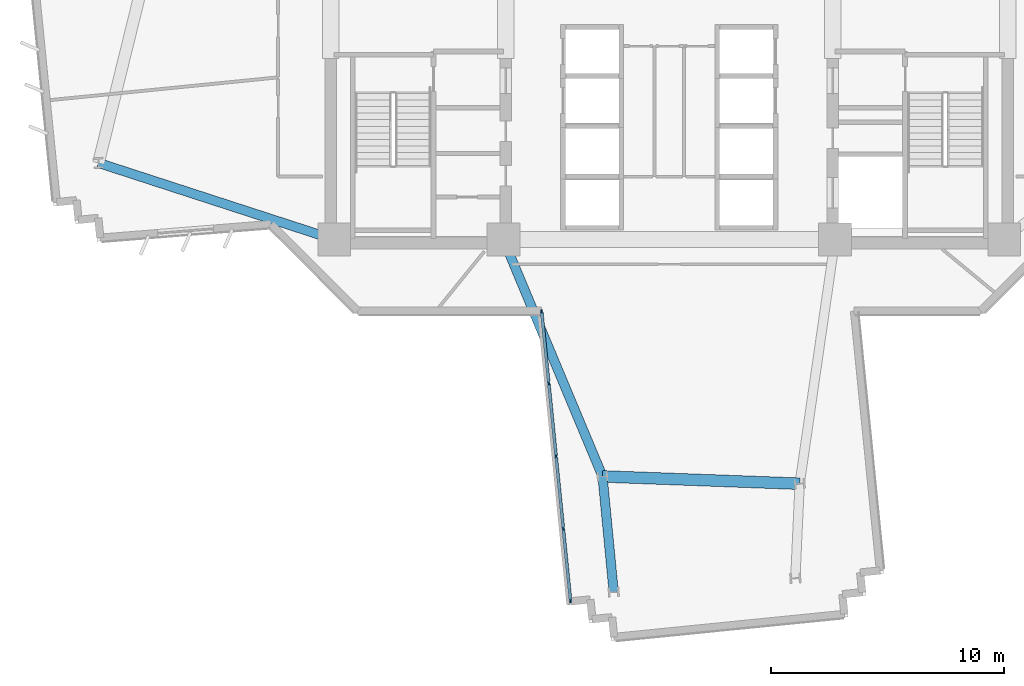
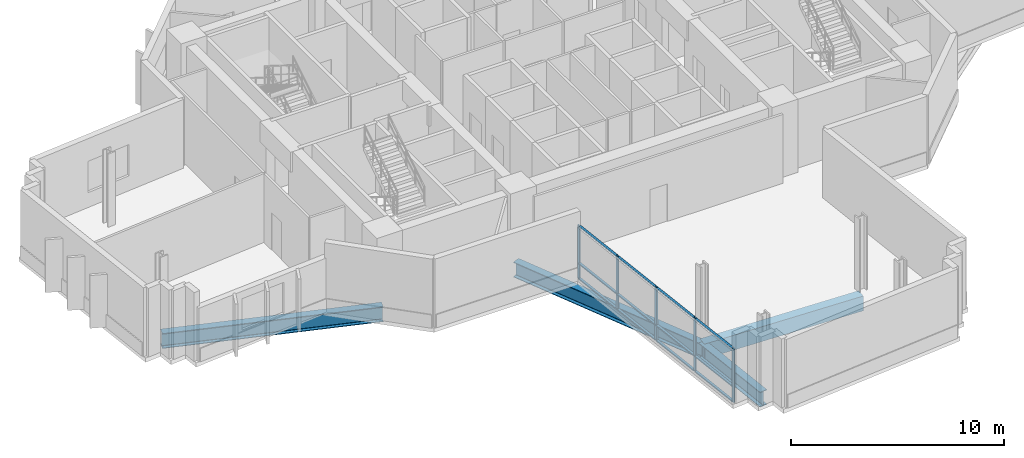
# One storey, part 2 of 14: 17 members, 4 beams, 1 element without a shape of its own.
"""IFC4 building model written with IfcOpenShell, lengths in metres."""

from ifc_helpers import new_model, si_unit, direction, frame, origin, origin_2d, place, context, subcontext, project, spatial, rectangle, i_section, extrude, source, transform, mapped, material, layer, layer_set, material_profile, profile_set, type_object, element, aggregate, save


model = new_model("IFC4")

# Units and contexts
model_context = context("Model", 3, precision=1e-05, world=origin(), true_north=direction((0.0, 1.0)))
body_context = subcontext(model_context, "Body", "Model", "MODEL_VIEW")
ifc_project = project(units=[si_unit("LENGTHUNIT", "METRE"), si_unit("AREAUNIT", "SQUARE_METRE"), si_unit("VOLUMEUNIT", "CUBIC_METRE"), si_unit("PLANEANGLEUNIT", "RADIAN"), si_unit("MASSUNIT", "GRAM", prefix="KILO")], contexts=[model_context])

# Site, building, storey
site_placement = place(None, origin())
site = spatial("IfcSite", under=ifc_project, at=site_placement, CompositionType="ELEMENT")
building_placement = place(site_placement, origin())
building = spatial("IfcBuilding", under=site, at=building_placement, Name="Zahravan Cultural Tower", CompositionType="ELEMENT")
storey_placement = place(building_placement, frame((0.0, 0.0, 96.300048828125)))
storey = spatial("IfcBuildingStorey", under=building, at=storey_placement, Name="L21", CompositionType="ELEMENT", Elevation=96.300048828125)

# Beams
ifc_material_1 = material(Name="Concrete C50/60", Category="concrete")
ifc_material_profile_1 = material_profile(ifc_material_1, rectangle(XDim=0.5, YDim=0.85009765625, at=origin_2d()), Name="RC500X850")
ifc_profile_set_1 = profile_set([ifc_material_profile_1], Name="Concrete C50/60")
beam_type_1 = type_object("IfcBeamType", Name="BM-SP-RC500X850", PredefinedType="SPANDREL", material=ifc_profile_set_1)
shared_shape_1 = source(origin(), body_context, "Body", "SweptSolid", [
    extrude(rectangle(XDim=0.5, YDim=0.85009765625, at=origin_2d()), origin(), (0.0, 0.0, 1.0), 8.4482421875),
])
beam_1_placement = place(storey_placement, frame((33.142578125, 7.653564453125, -0.675048828125), z_axis=(0.999318826256, -0.036903705643, 0.0), x_axis=(0.036903705643, 0.999318826256, 0.0)))
element("IfcBeam", 1, at=beam_1_placement, inside=storey, type_object=beam_type_1, Name="L21 Beam SP-L21-19", PredefinedType="SPANDREL", context=body_context, shape_type="MappedRepresentation", body=[
    mapped(shared_shape_1, transform((0.0, 0.0, 0.0), x_axis=(1.0, 0.0, 0.0), y_axis=(0.0, 1.0, 0.0), z_axis=(0.0, 0.0, 1.0), scale=1.0)),
])
ifc_material_2 = material(Name="Steel ASTM A992 Grade 50", Category="steel")
ifc_material_profile_2 = material_profile(ifc_material_2, i_section(OverallWidth=0.39990234375, OverallDepth=0.862060546875, WebThickness=0.019775390625, FlangeThickness=0.032470703125, FilletRadius=0.02001953125, at=origin_2d()), Name="W33X221")
ifc_profile_set_2 = profile_set([ifc_material_profile_2], Name="Steel ASTM A992 Grade 50")
beam_type_2 = type_object("IfcBeamType", Name="BM-G-W33X221", PredefinedType="BEAM", material=ifc_profile_set_2)
shared_shape_2 = source(origin(), body_context, "Body", "SweptSolid", [
    extrude(i_section(OverallWidth=0.39990234375, OverallDepth=0.862060546875, WebThickness=0.019775390625, FlangeThickness=0.032470703125, FilletRadius=0.02001953125, at=origin_2d()), origin(), (0.0, 0.0, 1.0), 10.615966796875),
])
beam_2_placement = place(storey_placement, frame((21.64990234375, 17.800048828125, -0.68115234375), z_axis=(-0.951063640083, 0.30899506875, 0.0), x_axis=(-0.30899506875, -0.951063640083, 0.0)))
element("IfcBeam", 2, at=beam_2_placement, inside=storey, type_object=beam_type_2, Name="L21 Beam BG-L21-07", PredefinedType="BEAM", context=body_context, shape_type="MappedRepresentation", body=[
    mapped(shared_shape_2, transform((0.0, 0.0, 0.0), x_axis=(1.0, 0.0, 0.0), y_axis=(0.0, 1.0, 0.0), z_axis=(0.0, 0.0, 1.0), scale=1.0)),
])
shared_shape_3 = source(origin(), body_context, "Body", "SweptSolid", [
    extrude(i_section(OverallWidth=0.39990234375, OverallDepth=0.862060546875, WebThickness=0.019775390625, FlangeThickness=0.032470703125, FilletRadius=0.02001953125, at=origin_2d()), origin(), (0.0, 0.0, 1.0), 10.997802734375),
])
beam_3_placement = place(storey_placement, frame((28.89990234375, 17.800048828125, -0.68115234375), z_axis=(0.385775211449, -0.922592806297, 0.0), x_axis=(0.922592806297, 0.385775211449, 0.0)))
element("IfcBeam", 3, at=beam_3_placement, inside=storey, type_object=beam_type_2, Name="L21 Beam BG-L21-08", PredefinedType="BEAM", context=body_context, shape_type="MappedRepresentation", body=[
    mapped(shared_shape_3, transform((0.0, 0.0, 0.0), x_axis=(1.0, 0.0, 0.0), y_axis=(0.0, 1.0, 0.0), z_axis=(0.0, 0.0, 1.0), scale=1.0)),
])
shared_shape_4 = source(origin(), body_context, "Body", "SweptSolid", [
    extrude(i_section(OverallWidth=0.39990234375, OverallDepth=0.862060546875, WebThickness=0.019775390625, FlangeThickness=0.032470703125, FilletRadius=0.02001953125, at=origin_2d()), origin(), (0.0, 0.0, 1.0), 4.973876953125),
])
beam_4_placement = place(storey_placement, frame((33.142578125, 7.653564453125, -0.68115234375), z_axis=(0.096154779131, -0.995366394073, 0.0), x_axis=(0.995366394073, 0.096154779131, 0.0)))
element("IfcBeam", 4, at=beam_4_placement, inside=storey, type_object=beam_type_2, Name="L21 Beam BG-L21-17", PredefinedType="BEAM", context=body_context, shape_type="MappedRepresentation", body=[
    mapped(shared_shape_4, transform((0.0, 0.0, 0.0), x_axis=(1.0, 0.0, 0.0), y_axis=(0.0, 1.0, 0.0), z_axis=(0.0, 0.0, 1.0), scale=1.0)),
])

# Curtain wall, members
ifc_material_3 = material(Name="Anodised bronze-aluminium mullion", Category="aluminium")
ifc_layer = layer(ifc_material_3, 0.1650390625)
ifc_layer_set = layer_set([ifc_layer], Name="Anodised bronze-aluminium mullion")
curtain_wall_type = type_object("IfcCurtainWallType", Name="CW-SYS-4", PredefinedType="USERDEFINED", material=ifc_layer_set)
curtain_wall_placement = place(storey_placement, origin())
curtain_wall = element("IfcCurtainWall", 5, at=curtain_wall_placement, inside=storey, type_object=curtain_wall_type, Name="L21 Recessed Curtain Wall CW-4.2", ObjectType="RECESSED GLAZING", PredefinedType="USERDEFINED")
ifc_material_profile_3 = material_profile(ifc_material_3, rectangle(XDim=0.06494140625, YDim=0.1650390625, at=origin_2d()), Name="AL-M65X165")
ifc_profile_set_3 = profile_set([ifc_material_profile_3], Name="Anodised bronze-aluminium mullion")
member_type_1 = type_object("IfcMemberType", Name="CWM-CW-4", PredefinedType="MULLION", material=ifc_profile_set_3)
shared_shape_5 = source(origin(), body_context, "Body", "SweptSolid", [
    extrude(rectangle(XDim=0.06494140625, YDim=0.1650390625, at=origin_2d()), origin(), (0.0, 0.0, 1.0), 3.070068359375),
])
member_1_placement = place(storey_placement, frame((31.769287109375, 2.330322265625, 0.0), z_axis=(0.0, 0.0, 1.0), x_axis=(-0.99505538579, -0.099321594883, 0.0)))
member_1 = element("IfcMember", 6, at=member_1_placement, type_object=member_type_1, Name="CW-4 mullion 1", PredefinedType="MULLION", context=body_context, shape_type="MappedRepresentation", body=[
    mapped(shared_shape_5, transform((0.0, 0.0, 0.0), x_axis=(1.0, 0.0, 0.0), y_axis=(0.0, 1.0, 0.0), z_axis=(0.0, 0.0, 1.0), scale=1.0)),
])
member_2_placement = place(storey_placement, frame((31.4619140625, 5.408447265625, 0.0), z_axis=(0.0, 0.0, 1.0), x_axis=(-0.99505538579, -0.099321594883, 0.0)))
member_2 = element("IfcMember", 7, at=member_2_placement, type_object=member_type_1, Name="CW-4 mullion 2", PredefinedType="MULLION", context=body_context, shape_type="MappedRepresentation", body=[
    mapped(shared_shape_5, transform((0.0, 0.0, 0.0), x_axis=(1.0, 0.0, 0.0), y_axis=(0.0, 1.0, 0.0), z_axis=(0.0, 0.0, 1.0), scale=1.0)),
])
member_3_placement = place(storey_placement, frame((31.151611328125, 8.51904296875, 0.0), z_axis=(0.0, 0.0, 1.0), x_axis=(-0.99505538579, -0.099321594883, 0.0)))
member_3 = element("IfcMember", 8, at=member_3_placement, type_object=member_type_1, Name="CW-4 mullion 3", PredefinedType="MULLION", context=body_context, shape_type="MappedRepresentation", body=[
    mapped(shared_shape_5, transform((0.0, 0.0, 0.0), x_axis=(1.0, 0.0, 0.0), y_axis=(0.0, 1.0, 0.0), z_axis=(0.0, 0.0, 1.0), scale=1.0)),
])
member_4_placement = place(storey_placement, frame((30.841064453125, 11.62939453125, 0.0), z_axis=(0.0, 0.0, 1.0), x_axis=(-0.99505538579, -0.099321594883, 0.0)))
member_4 = element("IfcMember", 9, at=member_4_placement, type_object=member_type_1, Name="CW-4 mullion 4", PredefinedType="MULLION", context=body_context, shape_type="MappedRepresentation", body=[
    mapped(shared_shape_5, transform((0.0, 0.0, 0.0), x_axis=(1.0, 0.0, 0.0), y_axis=(0.0, 1.0, 0.0), z_axis=(0.0, 0.0, 1.0), scale=1.0)),
])
member_5_placement = place(storey_placement, frame((30.533935546875, 14.707763671875, 0.0), z_axis=(0.0, 0.0, 1.0), x_axis=(-0.99505538579, -0.099321594883, 0.0)))
member_5 = element("IfcMember", 10, at=member_5_placement, type_object=member_type_1, Name="CW-4 mullion 5", PredefinedType="MULLION", context=body_context, shape_type="MappedRepresentation", body=[
    mapped(shared_shape_5, transform((0.0, 0.0, 0.0), x_axis=(1.0, 0.0, 0.0), y_axis=(0.0, 1.0, 0.0), z_axis=(0.0, 0.0, 1.0), scale=1.0)),
])
ifc_material_profile_4 = material_profile(ifc_material_3, rectangle(XDim=0.1298828125, YDim=0.06494140625, at=origin_2d()), Name="AL-T65X130")
ifc_profile_set_4 = profile_set([ifc_material_profile_4], Name="Anodised bronze-aluminium mullion")
member_type_2 = type_object("IfcMemberType", Name="CWT-CW-4", PredefinedType="USERDEFINED", material=ifc_profile_set_4)
shared_shape_6 = source(origin(), body_context, "Body", "SweptSolid", [
    extrude(rectangle(XDim=0.1298828125, YDim=0.06494140625, at=origin_2d()), origin(), (0.0, 0.0, 1.0), 3.0283203125),
])
member_6_placement = place(storey_placement, frame((31.76611328125, 2.36279296875, 0.032470703125), z_axis=(-0.099320134078, 0.995055531599, 0.0), x_axis=(-0.995055531599, -0.099320134078, 0.0)))
member_6 = element("IfcMember", 11, at=member_6_placement, type_object=member_type_2, Name="CW-4 transom 1.1", ObjectType="TRANSOM", PredefinedType="USERDEFINED", context=body_context, shape_type="MappedRepresentation", body=[
    mapped(shared_shape_6, transform((0.0, 0.0, 0.0), x_axis=(1.0, 0.0, 0.0), y_axis=(0.0, 1.0, 0.0), z_axis=(0.0, 0.0, 1.0), scale=1.0)),
])
member_7_placement = place(storey_placement, frame((31.76611328125, 2.36279296875, 0.89990234375), z_axis=(-0.099320134078, 0.995055531599, 0.0), x_axis=(-0.995055531599, -0.099320134078, 0.0)))
member_7 = element("IfcMember", 12, at=member_7_placement, type_object=member_type_2, Name="CW-4 transom 1.2", ObjectType="TRANSOM", PredefinedType="USERDEFINED", context=body_context, shape_type="MappedRepresentation", body=[
    mapped(shared_shape_6, transform((0.0, 0.0, 0.0), x_axis=(1.0, 0.0, 0.0), y_axis=(0.0, 1.0, 0.0), z_axis=(0.0, 0.0, 1.0), scale=1.0)),
])
member_8_placement = place(storey_placement, frame((31.76611328125, 2.36279296875, 3.037353515625), z_axis=(-0.099320134078, 0.995055531599, 0.0), x_axis=(-0.995055531599, -0.099320134078, 0.0)))
member_8 = element("IfcMember", 13, at=member_8_placement, type_object=member_type_2, Name="CW-4 transom 1.3", ObjectType="TRANSOM", PredefinedType="USERDEFINED", context=body_context, shape_type="MappedRepresentation", body=[
    mapped(shared_shape_6, transform((0.0, 0.0, 0.0), x_axis=(1.0, 0.0, 0.0), y_axis=(0.0, 1.0, 0.0), z_axis=(0.0, 0.0, 1.0), scale=1.0)),
])
member_9_placement = place(storey_placement, frame((30.837890625, 11.661865234375, 0.032470703125), z_axis=(-0.099320134078, 0.995055531599, 0.0), x_axis=(-0.995055531599, -0.099320134078, 0.0)))
member_9 = element("IfcMember", 14, at=member_9_placement, type_object=member_type_2, Name="CW-4 transom 4.1", ObjectType="TRANSOM", PredefinedType="USERDEFINED", context=body_context, shape_type="MappedRepresentation", body=[
    mapped(shared_shape_6, transform((0.0, 0.0, 0.0), x_axis=(1.0, 0.0, 0.0), y_axis=(0.0, 1.0, 0.0), z_axis=(0.0, 0.0, 1.0), scale=1.0)),
])
member_10_placement = place(storey_placement, frame((30.837890625, 11.661865234375, 0.89990234375), z_axis=(-0.099320134078, 0.995055531599, 0.0), x_axis=(-0.995055531599, -0.099320134078, 0.0)))
member_10 = element("IfcMember", 15, at=member_10_placement, type_object=member_type_2, Name="CW-4 transom 4.2", ObjectType="TRANSOM", PredefinedType="USERDEFINED", context=body_context, shape_type="MappedRepresentation", body=[
    mapped(shared_shape_6, transform((0.0, 0.0, 0.0), x_axis=(1.0, 0.0, 0.0), y_axis=(0.0, 1.0, 0.0), z_axis=(0.0, 0.0, 1.0), scale=1.0)),
])
member_11_placement = place(storey_placement, frame((30.837890625, 11.661865234375, 3.037353515625), z_axis=(-0.099320134078, 0.995055531599, 0.0), x_axis=(-0.995055531599, -0.099320134078, 0.0)))
member_11 = element("IfcMember", 16, at=member_11_placement, type_object=member_type_2, Name="CW-4 transom 4.3", ObjectType="TRANSOM", PredefinedType="USERDEFINED", context=body_context, shape_type="MappedRepresentation", body=[
    mapped(shared_shape_6, transform((0.0, 0.0, 0.0), x_axis=(1.0, 0.0, 0.0), y_axis=(0.0, 1.0, 0.0), z_axis=(0.0, 0.0, 1.0), scale=1.0)),
])
shared_shape_7 = source(origin(), body_context, "Body", "SweptSolid", [
    extrude(rectangle(XDim=0.1298828125, YDim=0.06494140625, at=origin_2d()), origin(), (0.0, 0.0, 1.0), 3.060791015625),
])
member_12_placement = place(storey_placement, frame((31.458740234375, 5.44091796875, 0.032470703125), z_axis=(-0.099306281217, 0.995056914207, 0.0), x_axis=(-0.995056914207, -0.099306281217, 0.0)))
member_12 = element("IfcMember", 17, at=member_12_placement, type_object=member_type_2, Name="CW-4 transom 2.1", ObjectType="TRANSOM", PredefinedType="USERDEFINED", context=body_context, shape_type="MappedRepresentation", body=[
    mapped(shared_shape_7, transform((0.0, 0.0, 0.0), x_axis=(1.0, 0.0, 0.0), y_axis=(0.0, 1.0, 0.0), z_axis=(0.0, 0.0, 1.0), scale=1.0)),
])
member_13_placement = place(storey_placement, frame((31.458740234375, 5.44091796875, 0.89990234375), z_axis=(-0.099306281217, 0.995056914207, 0.0), x_axis=(-0.995056914207, -0.099306281217, 0.0)))
member_13 = element("IfcMember", 18, at=member_13_placement, type_object=member_type_2, Name="CW-4 transom 2.2", ObjectType="TRANSOM", PredefinedType="USERDEFINED", context=body_context, shape_type="MappedRepresentation", body=[
    mapped(shared_shape_7, transform((0.0, 0.0, 0.0), x_axis=(1.0, 0.0, 0.0), y_axis=(0.0, 1.0, 0.0), z_axis=(0.0, 0.0, 1.0), scale=1.0)),
])
member_14_placement = place(storey_placement, frame((31.458740234375, 5.44091796875, 3.037353515625), z_axis=(-0.099306281217, 0.995056914207, 0.0), x_axis=(-0.995056914207, -0.099306281217, 0.0)))
member_14 = element("IfcMember", 19, at=member_14_placement, type_object=member_type_2, Name="CW-4 transom 2.3", ObjectType="TRANSOM", PredefinedType="USERDEFINED", context=body_context, shape_type="MappedRepresentation", body=[
    mapped(shared_shape_7, transform((0.0, 0.0, 0.0), x_axis=(1.0, 0.0, 0.0), y_axis=(0.0, 1.0, 0.0), z_axis=(0.0, 0.0, 1.0), scale=1.0)),
])
shared_shape_8 = source(origin(), body_context, "Body", "SweptSolid", [
    extrude(rectangle(XDim=0.1298828125, YDim=0.06494140625, at=origin_2d()), origin(), (0.0, 0.0, 1.0), 3.06103515625),
])
member_15_placement = place(storey_placement, frame((31.1484375, 8.55126953125, 0.032470703125), z_axis=(-0.099377370307, 0.995049816979, 0.0), x_axis=(-0.995049816979, -0.099377370307, 0.0)))
member_15 = element("IfcMember", 20, at=member_15_placement, type_object=member_type_2, Name="CW-4 transom 3.1", ObjectType="TRANSOM", PredefinedType="USERDEFINED", context=body_context, shape_type="MappedRepresentation", body=[
    mapped(shared_shape_8, transform((0.0, 0.0, 0.0), x_axis=(1.0, 0.0, 0.0), y_axis=(0.0, 1.0, 0.0), z_axis=(0.0, 0.0, 1.0), scale=1.0)),
])
member_16_placement = place(storey_placement, frame((31.1484375, 8.55126953125, 0.89990234375), z_axis=(-0.099377370307, 0.995049816979, 0.0), x_axis=(-0.995049816979, -0.099377370307, 0.0)))
member_16 = element("IfcMember", 21, at=member_16_placement, type_object=member_type_2, Name="CW-4 transom 3.2", ObjectType="TRANSOM", PredefinedType="USERDEFINED", context=body_context, shape_type="MappedRepresentation", body=[
    mapped(shared_shape_8, transform((0.0, 0.0, 0.0), x_axis=(1.0, 0.0, 0.0), y_axis=(0.0, 1.0, 0.0), z_axis=(0.0, 0.0, 1.0), scale=1.0)),
])
member_17_placement = place(storey_placement, frame((31.1484375, 8.55126953125, 3.037353515625), z_axis=(-0.099377370307, 0.995049816979, 0.0), x_axis=(-0.995049816979, -0.099377370307, 0.0)))
member_17 = element("IfcMember", 22, at=member_17_placement, type_object=member_type_2, Name="CW-4 transom 3.3", ObjectType="TRANSOM", PredefinedType="USERDEFINED", context=body_context, shape_type="MappedRepresentation", body=[
    mapped(shared_shape_8, transform((0.0, 0.0, 0.0), x_axis=(1.0, 0.0, 0.0), y_axis=(0.0, 1.0, 0.0), z_axis=(0.0, 0.0, 1.0), scale=1.0)),
])
aggregate(curtain_wall, [member_1, member_2, member_3, member_4, member_5, member_6, member_7, member_8, member_12, member_13, member_14, member_15, member_16, member_17, member_9, member_10, member_11])

save(model, "model.ifc")
